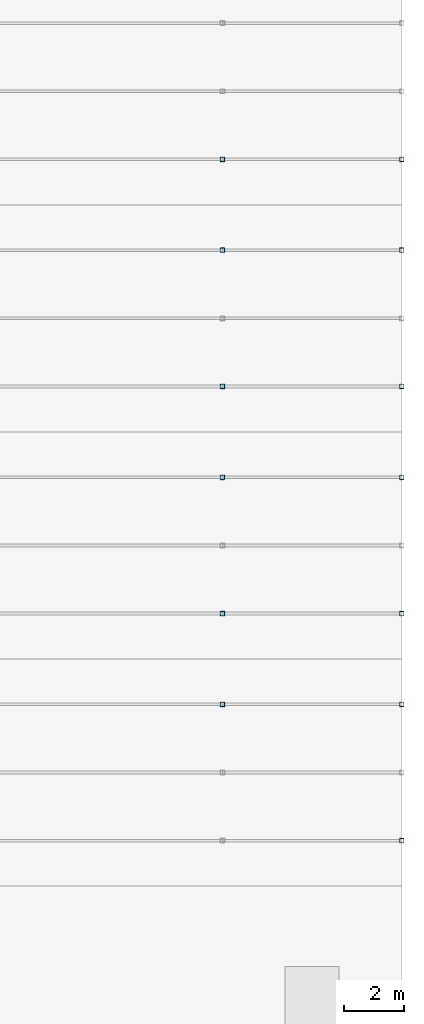
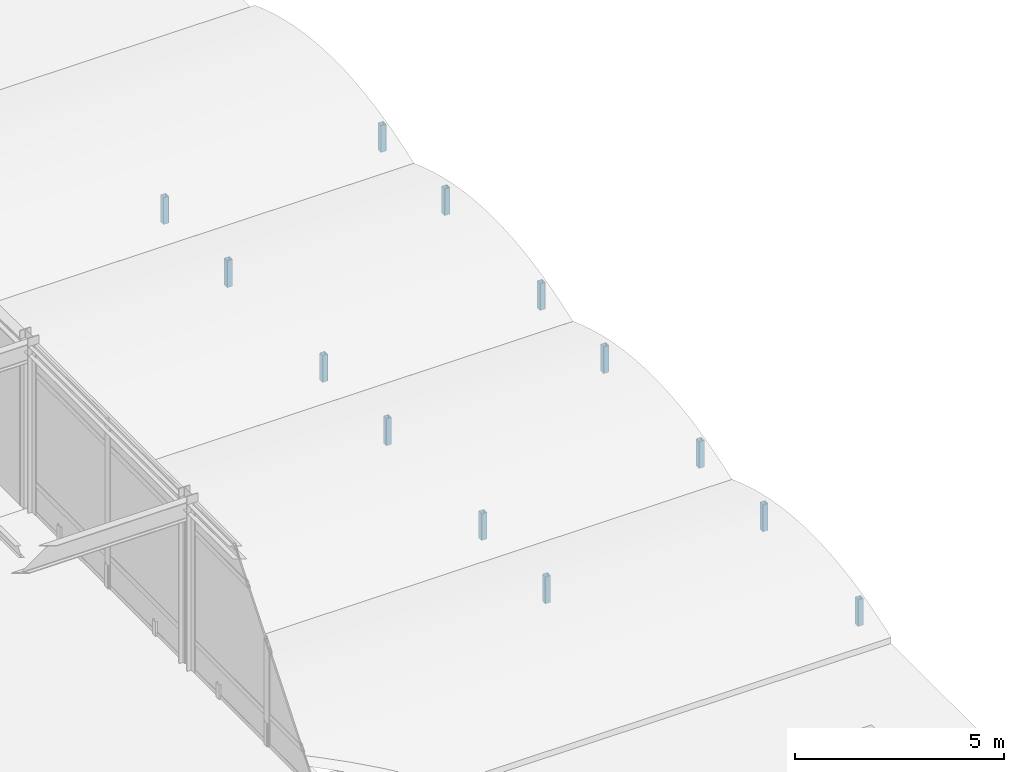
# One storey, part 83 of 113: 13 members.
"""IFC4 building model written with IfcOpenShell, lengths in metres."""

import ifcopenshell
import ifcopenshell.guid

model = None  # the IFC model being written
_history = None  # IfcOwnerHistory: only IFC2X3 demands one
_inside = {}  # id of a spatial element -> (the spatial element, [elements in it])
_under = {}  # id of a project, library or spatial element -> (it, [spatial elements below it])
_declared = {}  # id of a project -> (the project, [libraries it declares])
_typed = {}  # id of a type object -> (the type object, [elements of that type])
_made_of = {}  # id of a material, layer set ... -> (it, [elements and type objects made of it])


def new_model(schema):
    """Start an empty IFC model of exactly this schema.

    Asked for "IFC4X3", IfcOpenShell would pick the latest addendum, in which some entities
    have other attributes; the version numbers below select the first issue.
    IFC2X3 requires an IfcOwnerHistory on every rooted entity: one is made here for all.
    """
    global model, _history
    if schema == "IFC4X3":
        model = ifcopenshell.file(schema_version=(4, 3, 0, 0))
    else:
        model = ifcopenshell.file(schema=schema)
    _inside.clear()
    _under.clear()
    _declared.clear()
    _typed.clear()
    _made_of.clear()
    _history = None
    if model.schema == "IFC2X3":
        org = make("IfcOrganization", Name="unknown")
        user = make(
            "IfcPersonAndOrganization",
            ThePerson=make("IfcPerson", FamilyName="unknown"),
            TheOrganization=org,
        )
        app = make(
            "IfcApplication",
            ApplicationDeveloper=org,
            Version="unknown",
            ApplicationFullName="unknown",
            ApplicationIdentifier="unknown",
        )
        _history = make(
            "IfcOwnerHistory",
            OwningUser=user,
            OwningApplication=app,
            ChangeAction="ADDED",
            CreationDate=0,
        )
    return model


def make(cls, **values):
    """One entity of the class cls with the attributes given. An attribute that is None is left unset."""
    return model.create_entity(
        cls, **{name: value for name, value in values.items() if value is not None}
    )


def rooted(cls, **values):
    """An entity with a GlobalId (a new one), such as an element, a storey or a relation."""
    return make(cls, GlobalId=ifcopenshell.guid.new(), OwnerHistory=_history, **values)


def si_unit(unit_type, name, prefix=None):
    """IfcSIUnit, for example si_unit("LENGTHUNIT", "METRE", prefix="MILLI")."""
    return make("IfcSIUnit", UnitType=unit_type, Prefix=prefix, Name=name)


def assignment(units):
    """IfcUnitAssignment: the units of a project."""
    return None if units is None else make("IfcUnitAssignment", Units=units)


def point(xyz):
    """IfcCartesianPoint."""
    return None if xyz is None else make("IfcCartesianPoint", Coordinates=xyz)


def direction(xyz):
    """IfcDirection."""
    return None if xyz is None else make("IfcDirection", DirectionRatios=xyz)


def frame(location, z_axis=None, x_axis=None):
    """IfcAxis2Placement3D, a coordinate frame: its origin and axes. An axis left out is left unset."""
    return make(
        "IfcAxis2Placement3D",
        Location=point(location),
        Axis=direction(z_axis),
        RefDirection=direction(x_axis),
    )


def frame_2d(location, x_axis=None):
    """IfcAxis2Placement2D, a coordinate frame in the plane: its origin and x axis."""
    return make(
        "IfcAxis2Placement2D", Location=point(location), RefDirection=direction(x_axis)
    )


def origin():
    """The frame at (0, 0, 0) with its axes left unset."""
    return frame((0.0, 0.0, 0.0))


def origin_2d():
    """The frame at (0, 0) in the plane with its x axis left unset."""
    return frame_2d((0.0, 0.0))


def place(relative_to, where):
    """IfcLocalPlacement: puts the frame where relative to a parent placement (None: the world)."""
    return make(
        "IfcLocalPlacement", PlacementRelTo=relative_to, RelativePlacement=where
    )


def context(
    kind, dimensions, precision=None, world=None, true_north=None, identifier=None
):
    """IfcGeometricRepresentationContext, for example the 3D "Model" context."""
    return make(
        "IfcGeometricRepresentationContext",
        ContextIdentifier=identifier,
        ContextType=kind,
        CoordinateSpaceDimension=dimensions,
        Precision=precision,
        WorldCoordinateSystem=world,
        TrueNorth=true_north,
    )


def subcontext(parent, identifier, kind, view, scale=None):
    """IfcGeometricRepresentationSubContext, for example "Body" below "Model"."""
    return make(
        "IfcGeometricRepresentationSubContext",
        ContextIdentifier=identifier,
        ContextType=kind,
        ParentContext=parent,
        TargetScale=scale,
        TargetView=view,
    )


def project(units=None, contexts=None):
    """IfcProject with its units and contexts."""
    return rooted(
        "IfcProject",
        Name="project",
        RepresentationContexts=contexts,
        UnitsInContext=assignment(units),
    )


def spatial(cls, under=None, at=None, **own):
    """A site, building, storey or space (cls), placed at a placement, below another one or the project."""
    s = rooted(cls, ObjectPlacement=at, **own)
    if under is not None:
        _under.setdefault(under.id(), (under, []))[1].append(s)
    return s


def profile(cls, at=None, kind="AREA", **sizes):
    """A parametric profile (cls). Its sizes go by their IFC names, for example OverallWidth=200.0."""
    return make(cls, ProfileType=kind, Position=at, **sizes)


def hollow_rectangle(**sizes):
    """IfcRectangleHollowProfileDef."""
    return profile("IfcRectangleHollowProfileDef", **sizes)


def extrude(swept, where, along, depth):
    """IfcExtrudedAreaSolid: the profile swept, set in the frame where, extruded along a direction by depth."""
    return make(
        "IfcExtrudedAreaSolid",
        SweptArea=swept,
        Position=where,
        ExtrudedDirection=direction(along),
        Depth=depth,
    )


def shape(context_of_items, identifier, shape_type, items):
    """IfcShapeRepresentation: the items that make up one representation, for example the "Body"."""
    return make(
        "IfcShapeRepresentation",
        ContextOfItems=context_of_items,
        RepresentationIdentifier=identifier,
        RepresentationType=shape_type,
        Items=items,
    )


def material(Name=None, Category=None):
    """IfcMaterial."""
    return make("IfcMaterial", Name=Name, Category=Category)


def material_profile(
    of_material, cross_section, Name=None, Category=None, Priority=None
):
    """IfcMaterialProfile: a cross section and its material."""
    return make(
        "IfcMaterialProfile",
        Name=Name,
        Material=of_material,
        Profile=cross_section,
        Priority=Priority,
        Category=Category,
    )


def profile_set(profiles, Name=None, composite=None):
    """IfcMaterialProfileSet."""
    return make(
        "IfcMaterialProfileSet",
        Name=Name,
        MaterialProfiles=profiles,
        CompositeProfile=composite,
    )


def made_of(thing, what):
    """Note that an element or type object is made of a material, layer set ...; save() writes the relation."""
    if what is not None:
        _made_of.setdefault(what.id(), (what, []))[1].append(thing)
    return thing


def type_object(cls, material=None, **own):
    """A type object (cls), such as IfcWallType, which elements share."""
    return made_of(rooted(cls, **own), material)


def element(
    cls,
    number,
    at=None,
    inside=None,
    cuts=None,
    type_object=None,
    material=None,
    context=None,
    identifier="Body",
    shape_type=None,
    held_by="IfcProductDefinitionShape",
    body=None,
    shapes=None,
    **own,
):
    """One element of the class cls, such as IfcWall. Its Tag is "e" and its number.

    at: its placement. inside: the storey or other place that contains it. cuts: it is an
    opening in that element (IfcRelVoidsElement). A single representation is given by context,
    identifier, shape_type and body (its items); several are given by shapes. held_by: the class
    of the entity that holds the representations. save() writes the other relations.
    """
    e = rooted(cls, Tag="e%d" % number, ObjectPlacement=at, **own)
    if body is not None:
        shapes = [shape(context, identifier, shape_type, body)]
    if shapes is not None:
        e.Representation = make(held_by, Representations=shapes)
    if inside is not None:
        _inside.setdefault(inside.id(), (inside, []))[1].append(e)
    if cuts is not None:
        rooted(
            "IfcRelVoidsElement", RelatingBuildingElement=cuts, RelatedOpeningElement=e
        )
    if type_object is not None:
        _typed.setdefault(type_object.id(), (type_object, []))[1].append(e)
    return made_of(e, material)


def aggregate(whole, parts):
    """IfcRelAggregates: a whole, such as a stair, and the parts it consists of."""
    return rooted("IfcRelAggregates", RelatingObject=whole, RelatedObjects=parts)


def save(model, path):
    """Write the relations noted so far, then the file.

    IfcRelAggregates (storeys below a building ...), IfcRelContainedInSpatialStructure (elements
    in a storey), IfcRelDefinesByType, IfcRelAssociatesMaterial and IfcRelDeclares: one each for
    every whole, place, type object, material and project.
    """
    for whole, parts in _under.values():
        aggregate(whole, parts)
    for where, things in _inside.values():
        rooted(
            "IfcRelContainedInSpatialStructure",
            RelatedElements=things,
            RelatingStructure=where,
        )
    for kind, things in _typed.values():
        rooted("IfcRelDefinesByType", RelatedObjects=things, RelatingType=kind)
    for what, things in _made_of.values():
        rooted("IfcRelAssociatesMaterial", RelatedObjects=things, RelatingMaterial=what)
    for by, libraries in _declared.values():
        rooted("IfcRelDeclares", RelatingContext=by, RelatedDefinitions=libraries)
    model.write(path)


model = new_model("IFC4")

# Units and contexts
model_context = context("Model", 3, precision=1e-05, world=origin(), true_north=direction((0.0, 1.0)))
body_context = subcontext(model_context, "Body", "Model", "MODEL_VIEW")
ifc_project = project(units=[si_unit("LENGTHUNIT", "METRE"), si_unit("AREAUNIT", "SQUARE_METRE"), si_unit("VOLUMEUNIT", "CUBIC_METRE"), si_unit("PLANEANGLEUNIT", "RADIAN"), si_unit("MASSUNIT", "GRAM", prefix="KILO")], contexts=[model_context])

# Site, building, storey
site_placement = place(None, origin())
site = spatial("IfcSite", under=ifc_project, at=site_placement, CompositionType="ELEMENT")
building_placement = place(site_placement, origin())
building = spatial("IfcBuilding", under=site, at=building_placement, Name="Shalkamar Park Central Library", CompositionType="ELEMENT")
storey_placement = place(building_placement, frame((0.0, 0.0, 5.39990234375)))
storey = spatial("IfcBuildingStorey", under=building, at=storey_placement, Name="L02", CompositionType="ELEMENT", Elevation=5.39990234375)

# Members
ifc_material = material(Name="Steel S355", Category="steel")
ifc_material_profile = material_profile(ifc_material, hollow_rectangle(XDim=0.14990234375, YDim=0.14990234375, WallThickness=0.008056640625, InnerFilletRadius=0.008056640625, OuterFilletRadius=0.011962890625, at=origin_2d()), Name="SHS 150x150x8")
ifc_profile_set = profile_set([ifc_material_profile], Name="Steel S355")
member_type = type_object("IfcMemberType", Name="Diagonal Brace SHS150", PredefinedType="BRACE", material=ifc_profile_set)
for number, where, z_axis, x_axis, name in (
    (1, (282.0, 284.080078125, -0.35986328125), (0.0, 0.0, 1.0), (1.0, 0.0, 0.0), "Vault Arch Post BV-L01-E4-21.3"),
    (2, (288.0, 279.52001953125, -0.35986328125), (0.0, 0.0, 1.0), (1.0, 0.0, 0.0), "Vault Arch Post BV-L01-E4-22.1"),
    (3, (288.0, 284.080078125, -0.35986328125), (0.0, 0.0, 1.0), (1.0, 0.0, 0.0), "Vault Arch Post BV-L01-E4-22.3"),
    (4, (282.0, 287.1201171875, -0.35986328125), (0.0, 0.0, 1.0), (1.0, 0.0, 0.0), "Vault Arch Post BV-L01-E5-21.1"),
    (5, (282.0, 291.679931640625, -0.35986328125), (0.0, 0.0, 1.0), (1.0, 0.0, 0.0), "Vault Arch Post BV-L01-E5-21.3"),
    (6, (288.0, 287.1201171875, -0.35986328125), (0.0, 0.0, 1.0), (1.0, 0.0, 0.0), "Vault Arch Post BV-L01-E5-22.1"),
    (7, (288.0, 291.679931640625, -0.35986328125), (0.0, 0.0, 1.0), (1.0, 0.0, 0.0), "Vault Arch Post BV-L01-E5-22.3"),
    (8, (282.0, 294.719970703125, -0.35986328125), (0.0, 0.0, 1.0), (1.0, 0.0, 0.0), "Vault Arch Post BV-L01-E6-21.1"),
    (9, (282.0, 299.280029296875, -0.35986328125), (0.0, 0.0, 1.0), (1.0, 0.0, 0.0), "Vault Arch Post BV-L01-E6-21.3"),
    (10, (288.0, 294.719970703125, -0.35986328125), (0.0, 0.0, 1.0), (1.0, 0.0, 0.0), "Vault Arch Post BV-L01-E6-22.1"),
    (11, (288.0, 299.280029296875, -0.35986328125), (0.0, 0.0, 1.0), (1.0, 0.0, 0.0), "Vault Arch Post BV-L01-E6-22.3"),
    (12, (282.0, 302.320068359375, -0.35986328125), (0.0, 0.0, 1.0), (1.0, 0.0, 0.0), "Vault Arch Post BV-L01-E7-21.1"),
    (13, (288.0, 302.320068359375, -0.35986328125), (0.0, 0.0, 1.0), (1.0, 0.0, 0.0), "Vault Arch Post BV-L01-E7-22.1"),
):
    element("IfcMember", number, at=place(storey_placement, frame(where, z_axis=z_axis, x_axis=x_axis)), inside=storey, type_object=member_type, Name=name, PredefinedType="BRACE", context=body_context, shape_type="SweptSolid", body=[
        extrude(hollow_rectangle(XDim=0.14990234375, YDim=0.14990234375, WallThickness=0.008056640625, InnerFilletRadius=0.008056640625, OuterFilletRadius=0.011962890625, at=origin_2d()), origin(), (0.0, 0.0, 1.0), 0.78076171875),
    ])

save(model, "model.ifc")
